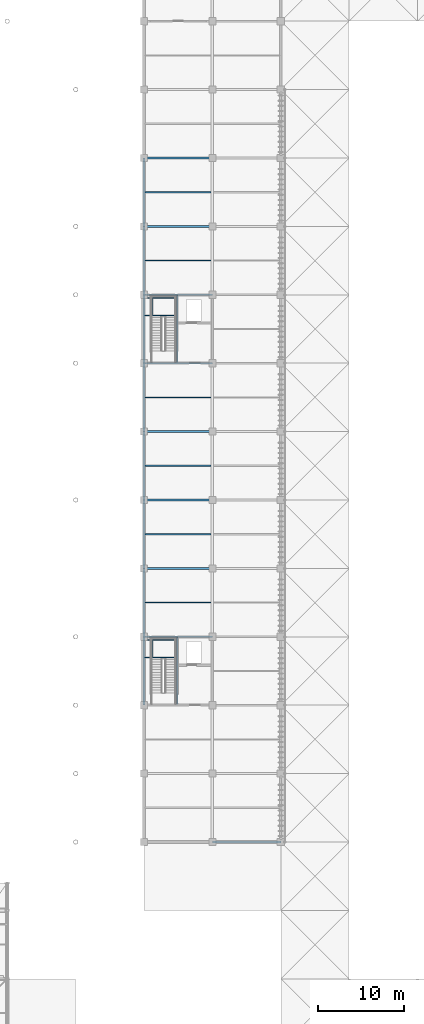
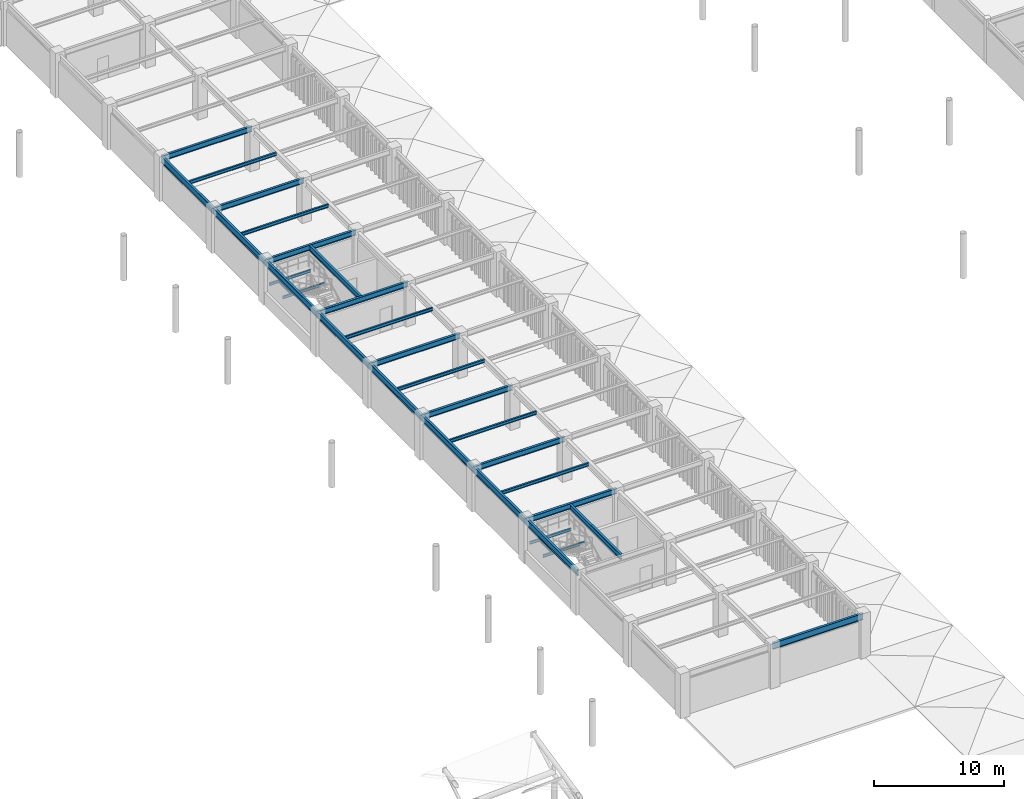
# One storey, part 29 of 78: 31 beams.
"""IFC4 building model written with IfcOpenShell, lengths in metres."""

from ifc_helpers import new_model, si_unit, direction, frame, origin, origin_2d, place, context, subcontext, project, spatial, i_section, extrude, material, material_profile, profile_set, type_object, element, save


model = new_model("IFC4")

# Units and contexts
model_context = context("Model", 3, precision=1e-05, world=origin(), true_north=direction((0.0, 1.0)))
body_context = subcontext(model_context, "Body", "Model", "MODEL_VIEW")
ifc_project = project(units=[si_unit("LENGTHUNIT", "METRE"), si_unit("AREAUNIT", "SQUARE_METRE"), si_unit("VOLUMEUNIT", "CUBIC_METRE"), si_unit("PLANEANGLEUNIT", "RADIAN"), si_unit("MASSUNIT", "GRAM", prefix="KILO")], contexts=[model_context])

# Site, building, storey
site_placement = place(None, origin())
site = spatial("IfcSite", under=ifc_project, at=site_placement, CompositionType="ELEMENT")
building_placement = place(site_placement, origin())
building = spatial("IfcBuilding", under=site, at=building_placement, Name="Haebicheon Civic Stadium", CompositionType="ELEMENT")
storey_placement = place(building_placement, frame((0.0, 0.0, 18.60009765625)))
storey = spatial("IfcBuildingStorey", under=building, at=storey_placement, Name="L05", CompositionType="ELEMENT", Elevation=18.60009765625)

# Beams
ifc_material_1 = material(Name="Steel SM355 (S355)", Category="steel")
ifc_material_profile_1 = material_profile(ifc_material_1, i_section(OverallWidth=0.199951171875, OverallDepth=0.5, WebThickness=0.010009765625, FlangeThickness=0.01611328125, at=origin_2d()), Name="H-500x200x10x16")
ifc_profile_set_1 = profile_set([ifc_material_profile_1], Name="Steel SM355 (S355)")
beam_type_1 = type_object("IfcBeamType", Name="BM-ST-H500", PredefinedType="BEAM", material=ifc_profile_set_1)
for number, where, z_axis, x_axis, name in (
    (1, (144.0, 72.0, 3.699951171875), (1.0, 0.0, 0.0), (0.0, 1.0, 0.0), "L05 beam K/19-20"),
    (2, (144.0, 80.0, 3.699951171875), (1.0, 0.0, 0.0), (0.0, 1.0, 0.0), "L05 beam L/19-20"),
    (3, (144.0, 88.0, 3.699951171875), (1.0, 0.0, 0.0), (0.0, 1.0, 0.0), "L05 beam M/19-20"),
    (4, (144.0, 96.0, 3.699951171875), (1.0, 0.0, 0.0), (0.0, 1.0, 0.0), "L05 beam N/19-20"),
    (5, (144.0, 104.0, 3.699951171875), (1.0, 0.0, 0.0), (0.0, 1.0, 0.0), "L05 beam P/19-20"),
    (6, (144.0, 112.0, 3.699951171875), (1.0, 0.0, 0.0), (0.0, 1.0, 0.0), "L05 beam Q/19-20"),
    (7, (144.0, 120.0, 3.699951171875), (1.0, 0.0, 0.0), (0.0, 1.0, 0.0), "L05 beam R/19-20"),
    (8, (144.0, 128.0, 3.699951171875), (1.0, 0.0, 0.0), (0.0, 1.0, 0.0), "L05 beam S/19-20"),
):
    element("IfcBeam", number, at=place(storey_placement, frame(where, z_axis=z_axis, x_axis=x_axis)), inside=storey, type_object=beam_type_1, material=ifc_profile_set_1, Name=name, PredefinedType="BEAM", context=body_context, shape_type="SweptSolid", body=[
        extrude(i_section(OverallWidth=0.199951171875, OverallDepth=0.5, WebThickness=0.010009765625, FlangeThickness=0.01611328125, at=origin_2d()), origin(), (0.0, 0.0, 1.0), 8.0),
    ])
for number, where, z_axis, x_axis, name in (
    (9, (147.8798828125, 64.10009765625, 3.699951171875), (0.0, 1.0, 0.0), (-1.0, 0.0, 0.0), "L05 KC-10 core dividing wall support beam"),
    (10, (147.8798828125, 104.10009765625, 3.699951171875), (0.0, 1.0, 0.0), (-1.0, 0.0, 0.0), "L05 KC-11 core dividing wall support beam"),
):
    element("IfcBeam", number, at=place(storey_placement, frame(where, z_axis=z_axis, x_axis=x_axis)), inside=storey, type_object=beam_type_1, material=ifc_profile_set_1, Name=name, PredefinedType="BEAM", context=body_context, shape_type="SweptSolid", body=[
        extrude(i_section(OverallWidth=0.199951171875, OverallDepth=0.5, WebThickness=0.010009765625, FlangeThickness=0.01611328125, at=origin_2d()), origin(), (0.0, 0.0, 1.0), 7.7998046875),
    ])
ifc_material_2 = material(Name="Steel SM355 (S355)", Category="steel")
ifc_material_profile_2 = material_profile(ifc_material_2, i_section(OverallWidth=0.125, OverallDepth=0.25, WebThickness=0.006103515625, FlangeThickness=0.009033203125, at=origin_2d()), Name="H-250x125x6x9")
ifc_profile_set_2 = profile_set([ifc_material_profile_2], Name="Steel SM355 (S355)")
beam_type_2 = type_object("IfcBeamType", Name="JST-ST-H250", PredefinedType="JOIST", material=ifc_profile_set_2)
for number, where, z_axis, x_axis, name in (
    (11, (144.080078125, 69.570068359375, 1.77197265625), (1.0, 0.0, 0.0), (0.0, 1.0, 0.0), "KC-10 L05 stair half-landing front trimmer beam"),
    (12, (144.080078125, 71.6201171875, 1.77197265625), (1.0, 0.0, 0.0), (0.0, 1.0, 0.0), "KC-10 L05 stair half-landing rear trimmer beam"),
):
    element("IfcBeam", number, at=place(storey_placement, frame(where, z_axis=z_axis, x_axis=x_axis)), inside=storey, type_object=beam_type_2, material=ifc_profile_set_2, Name=name, PredefinedType="JOIST", context=body_context, shape_type="SweptSolid", body=[
        extrude(i_section(OverallWidth=0.125, OverallDepth=0.25, WebThickness=0.006103515625, FlangeThickness=0.009033203125, at=origin_2d()), origin(), (0.0, 0.0, 1.0), 3.719970703125),
    ])
beam_1_placement = place(storey_placement, frame((144.9599609375, 69.570068359375, 1.77197265625), z_axis=(0.0, 1.0, 0.0), x_axis=(-1.0, 0.0, 0.0)))
element("IfcBeam", 13, at=beam_1_placement, inside=storey, type_object=beam_type_2, material=ifc_profile_set_2, Name="KC-10 L05 stair half-landing transverse tie beam", PredefinedType="JOIST", context=body_context, shape_type="SweptSolid", body=[
    extrude(i_section(OverallWidth=0.125, OverallDepth=0.25, WebThickness=0.006103515625, FlangeThickness=0.009033203125, at=origin_2d()), origin(), (0.0, 0.0, 1.0), 2.050048828125),
])
for number, where, z_axis, x_axis, name in (
    (14, (144.080078125, 109.570068359375, 1.77197265625), (1.0, 0.0, 0.0), (0.0, 1.0, 0.0), "KC-11 L05 stair half-landing front trimmer beam"),
    (15, (144.080078125, 111.6201171875, 1.77197265625), (1.0, 0.0, 0.0), (0.0, 1.0, 0.0), "KC-11 L05 stair half-landing rear trimmer beam"),
):
    element("IfcBeam", number, at=place(storey_placement, frame(where, z_axis=z_axis, x_axis=x_axis)), inside=storey, type_object=beam_type_2, material=ifc_profile_set_2, Name=name, PredefinedType="JOIST", context=body_context, shape_type="SweptSolid", body=[
        extrude(i_section(OverallWidth=0.125, OverallDepth=0.25, WebThickness=0.006103515625, FlangeThickness=0.009033203125, at=origin_2d()), origin(), (0.0, 0.0, 1.0), 3.719970703125),
    ])
beam_2_placement = place(storey_placement, frame((144.9599609375, 109.570068359375, 1.77197265625), z_axis=(0.0, 1.0, 0.0), x_axis=(-1.0, 0.0, 0.0)))
element("IfcBeam", 16, at=beam_2_placement, inside=storey, type_object=beam_type_2, material=ifc_profile_set_2, Name="KC-11 L05 stair half-landing transverse tie beam", PredefinedType="JOIST", context=body_context, shape_type="SweptSolid", body=[
    extrude(i_section(OverallWidth=0.125, OverallDepth=0.25, WebThickness=0.006103515625, FlangeThickness=0.009033203125, at=origin_2d()), origin(), (0.0, 0.0, 1.0), 2.050048828125),
])
ifc_material_3 = material(Name="Steel SM355 (S355)", Category="steel")
ifc_material_profile_3 = material_profile(ifc_material_3, i_section(OverallWidth=0.14990234375, OverallDepth=0.300048828125, WebThickness=0.006591796875, FlangeThickness=0.009033203125, at=origin_2d()), Name="H-300x150x6.5x9")
ifc_profile_set_3 = profile_set([ifc_material_profile_3], Name="Steel SM355 (S355)")
beam_type_3 = type_object("IfcBeamType", Name="JST-ST-H300", PredefinedType="JOIST", material=ifc_profile_set_3)
for number, where, z_axis, x_axis, name in (
    (17, (144.10009765625, 76.0, 3.7998046875), (1.0, 0.0, 0.0), (0.0, 1.0, 0.0), "L05 secondary joist 18-09"),
    (18, (144.10009765625, 84.0, 3.7998046875), (1.0, 0.0, 0.0), (0.0, 1.0, 0.0), "L05 secondary joist 18-10"),
    (19, (144.10009765625, 92.0, 3.7998046875), (1.0, 0.0, 0.0), (0.0, 1.0, 0.0), "L05 secondary joist 18-11"),
    (20, (144.10009765625, 100.0, 3.7998046875), (1.0, 0.0, 0.0), (0.0, 1.0, 0.0), "L05 secondary joist 18-12"),
    (21, (144.10009765625, 116.0, 3.7998046875), (1.0, 0.0, 0.0), (0.0, 1.0, 0.0), "L05 secondary joist 18-14"),
    (22, (144.10009765625, 124.0, 3.7998046875), (1.0, 0.0, 0.0), (0.0, 1.0, 0.0), "L05 secondary joist 18-15"),
):
    element("IfcBeam", number, at=place(storey_placement, frame(where, z_axis=z_axis, x_axis=x_axis)), inside=storey, type_object=beam_type_3, material=ifc_profile_set_3, Name=name, PredefinedType="JOIST", context=body_context, shape_type="SweptSolid", body=[
        extrude(i_section(OverallWidth=0.14990234375, OverallDepth=0.300048828125, WebThickness=0.006591796875, FlangeThickness=0.009033203125, at=origin_2d()), origin(), (0.0, 0.0, 1.0), 7.75),
    ])
ifc_material_4 = material(Name="Steel SM355 (S355)", Category="steel")
ifc_material_profile_4 = material_profile(ifc_material_4, i_section(OverallWidth=0.199951171875, OverallDepth=0.60009765625, WebThickness=0.010986328125, FlangeThickness=0.01708984375, at=origin_2d()), Name="H-600x200x11x17")
ifc_profile_set_4 = profile_set([ifc_material_profile_4], Name="Steel SM355 (S355)")
beam_type_4 = type_object("IfcBeamType", Name="SPD-ST-H600B", PredefinedType="SPANDREL", material=ifc_profile_set_4)
for number, where, z_axis, x_axis, name in (
    (23, (144.0, 64.0, 3.64990234375), (0.0, 1.0, 0.0), (-1.0, 0.0, 0.0), "L05 girder 19/J-K"),
    (24, (144.0, 72.0, 3.64990234375), (0.0, 1.0, 0.0), (-1.0, 0.0, 0.0), "L05 girder 19/K-L"),
    (25, (144.0, 80.0, 3.64990234375), (0.0, 1.0, 0.0), (-1.0, 0.0, 0.0), "L05 girder 19/L-M"),
    (26, (144.0, 88.0, 3.64990234375), (0.0, 1.0, 0.0), (-1.0, 0.0, 0.0), "L05 girder 19/M-N"),
    (27, (144.0, 96.0, 3.64990234375), (0.0, 1.0, 0.0), (-1.0, 0.0, 0.0), "L05 girder 19/N-P"),
    (28, (144.0, 104.0, 3.64990234375), (0.0, 1.0, 0.0), (-1.0, 0.0, 0.0), "L05 girder 19/P-Q"),
    (29, (144.0, 112.0, 3.64990234375), (0.0, 1.0, 0.0), (-1.0, 0.0, 0.0), "L05 girder 19/Q-R"),
    (30, (144.0, 120.0, 3.64990234375), (0.0, 1.0, 0.0), (-1.0, 0.0, 0.0), "L05 girder 19/R-S"),
    (31, (152.0, 48.0, 3.679931640625), (1.0, 0.0, 0.0), (0.0, 1.0, 0.0), "L05 beam G/20-21"),
):
    element("IfcBeam", number, at=place(storey_placement, frame(where, z_axis=z_axis, x_axis=x_axis)), inside=storey, type_object=beam_type_4, material=ifc_profile_set_4, Name=name, PredefinedType="SPANDREL", context=body_context, shape_type="SweptSolid", body=[
        extrude(i_section(OverallWidth=0.199951171875, OverallDepth=0.60009765625, WebThickness=0.010986328125, FlangeThickness=0.01708984375, at=origin_2d()), origin(), (0.0, 0.0, 1.0), 8.0),
    ])

save(model, "model.ifc")
